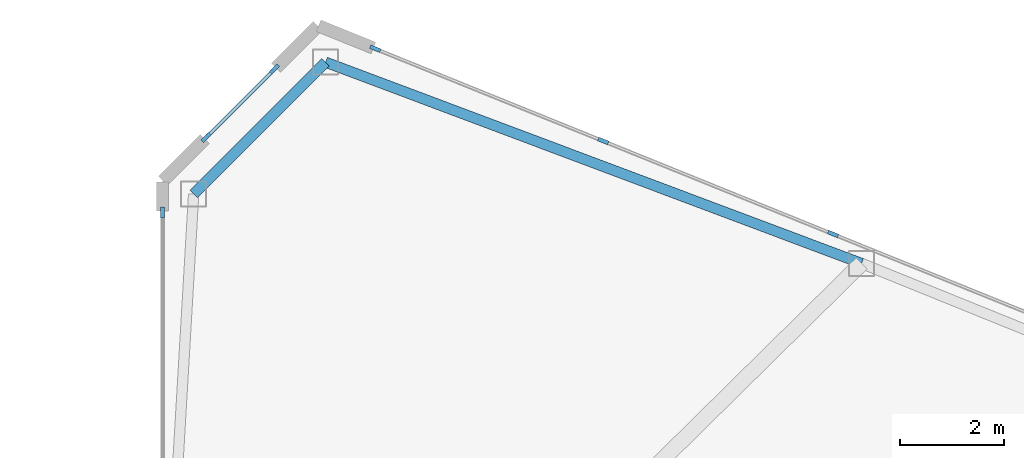
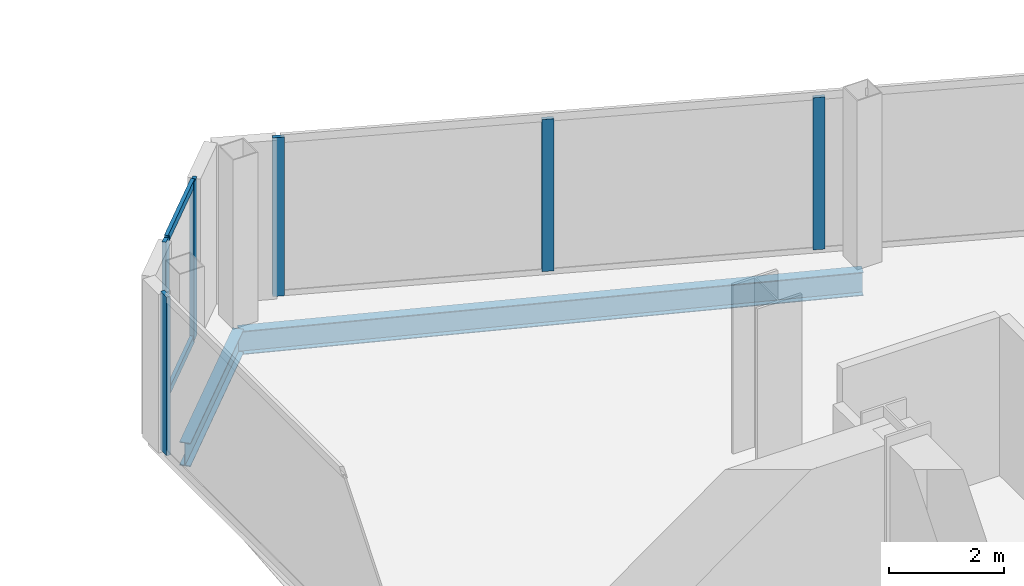
# One storey, part 13 of 25: 8 members, 2 beams, 3 elements without a shape of their own.
"""IFC4 building model written with IfcOpenShell, lengths in metres."""

from ifc_helpers import new_model, si_unit, direction, frame, origin, origin_2d, place, context, subcontext, project, spatial, rectangle, i_section, extrude, source, transform, mapped, material, layer, layer_set, material_profile, profile_set, type_object, type_shapes, element, aggregate, save


model = new_model("IFC4")

# Units and contexts
model_context = context("Model", 3, precision=1e-05, world=origin(), true_north=direction((0.0, 1.0)))
body_context = subcontext(model_context, "Body", "Model", "MODEL_VIEW")
ifc_project = project(units=[si_unit("LENGTHUNIT", "METRE"), si_unit("AREAUNIT", "SQUARE_METRE"), si_unit("VOLUMEUNIT", "CUBIC_METRE"), si_unit("PLANEANGLEUNIT", "RADIAN"), si_unit("MASSUNIT", "GRAM", prefix="KILO")], contexts=[model_context])

# Site, building, storey
site_placement = place(None, origin())
site = spatial("IfcSite", under=ifc_project, at=site_placement, CompositionType="ELEMENT")
building_placement = place(site_placement, origin())
building = spatial("IfcBuilding", under=site, at=building_placement, Name="Seokmaru Belvedere", CompositionType="ELEMENT")
storey_placement = place(building_placement, frame((0.0, 0.0, 44.10009765625)))
storey = spatial("IfcBuildingStorey", under=building, at=storey_placement, Name="L11", CompositionType="ELEMENT", Elevation=44.10009765625)

# Beams
ifc_material_1 = material(Name="Steel SM355 (355 MPa)", Category="steel")
ifc_material_profile_1 = material_profile(ifc_material_1, i_section(OverallWidth=0.199951171875, OverallDepth=0.5, WebThickness=0.010009765625, FlangeThickness=0.01611328125, at=origin_2d()), Name="H-500x200x10x16")
ifc_profile_set_1 = profile_set([ifc_material_profile_1], Name="Steel SM355 (355 MPa)")
beam_type = type_object("IfcBeamType", Name="Perimeter Spandrel Beam H-500", PredefinedType="SPANDREL", material=ifc_profile_set_1)
shared_shape_1 = source(origin(), body_context, "Body", "SweptSolid", [
    extrude(i_section(OverallWidth=0.199951171875, OverallDepth=0.5, WebThickness=0.010009765625, FlangeThickness=0.01611328125, at=origin_2d()), origin(), (0.0, 0.0, 1.0), 11.03857421875),
])
beam_1_placement = place(storey_placement, frame((30.643310546875, 26.294677734375, -0.47021484375), z_axis=(0.936169110734, -0.351549990907, 0.0), x_axis=(0.351549990907, 0.936169110734, 0.0)))
element("IfcBeam", 1, at=beam_1_placement, inside=storey, type_object=beam_type, Name="L11 E Faceted Flank Spandrel N-1", PredefinedType="SPANDREL", context=body_context, shape_type="MappedRepresentation", body=[
    mapped(shared_shape_1, transform((0.0, 0.0, 0.0), scale=1.0)),
])
shared_shape_2 = source(origin(), body_context, "Body", "SweptSolid", [
    extrude(i_section(OverallWidth=0.199951171875, OverallDepth=0.5, WebThickness=0.010009765625, FlangeThickness=0.01611328125, at=origin_2d()), origin(), (0.0, 0.0, 1.0), 3.5966796875),
])
type_shapes(beam_type, [shared_shape_1, shared_shape_2])
beam_2_placement = place(storey_placement, frame((30.643310546875, 26.294677734375, -0.47021484375), z_axis=(-0.707106781187, -0.707106781187, 0.0), x_axis=(0.707106781187, -0.707106781187, 0.0)))
element("IfcBeam", 2, at=beam_2_placement, inside=storey, type_object=beam_type, Name="L11 E Shoulder Chamfer Spandrel N", PredefinedType="SPANDREL", context=body_context, shape_type="MappedRepresentation", body=[
    mapped(shared_shape_2, transform((0.0, 0.0, 0.0), scale=1.0)),
])

# Curtain wall, members
ifc_material_2 = material(Name="Bronze Triple Insulating Glass", Category="glass")
ifc_layer = layer(ifc_material_2, 0.2099609375)
ifc_layer_set = layer_set([ifc_layer], Name="Bronze Triple Insulating Glass")
curtain_wall_type = type_object("IfcCurtainWallType", Name="Low-Rise Faceted Crystal Curtain Wall System CW-2", PredefinedType="NOTDEFINED", material=ifc_layer_set)
curtain_wall_1_placement = place(storey_placement, origin())
curtain_wall_1 = element("IfcCurtainWall", 3, at=curtain_wall_1_placement, inside=storey, type_object=curtain_wall_type, Name="L11 Curtain Wall EF4", PredefinedType="NOTDEFINED")
ifc_material_3 = material(Name="Anodised Bronze Aluminium", Category="aluminium")
ifc_material_profile_2 = material_profile(ifc_material_3, rectangle(XDim=0.070068359375, YDim=0.1650390625, at=origin_2d()), Name="CW-T-70x165")
ifc_profile_set_2 = profile_set([ifc_material_profile_2], Name="Anodised Bronze Aluminium")
member_type_1 = type_object("IfcMemberType", Name="Bronze Unitised Transom 70x165", PredefinedType="USERDEFINED", material=ifc_profile_set_2)
shared_shape_3 = source(origin(), body_context, "Body", "SweptSolid", [
    extrude(rectangle(XDim=0.070068359375, YDim=0.1650390625, at=origin_2d()), origin(), (0.0, 0.0, 1.0), 1.792724609375),
])
type_shapes(member_type_1, [shared_shape_3])
member_1_placement = place(storey_placement, frame((29.6337890625, 26.1337890625, 0.034912109375), z_axis=(-0.707106781187, -0.707106781187, 0.0), x_axis=(0.707106781187, -0.707106781187, 0.0)))
member_1 = element("IfcMember", 4, at=member_1_placement, type_object=member_type_1, Name="CW:L11:EF4 Continuous Transom 1", ObjectType="TRANSOM", PredefinedType="USERDEFINED", context=body_context, shape_type="MappedRepresentation", body=[
    mapped(shared_shape_3, transform((0.0, 0.0, 0.0), scale=1.0)),
])
member_2_placement = place(storey_placement, frame((29.6337890625, 26.1337890625, 3.344970703125), z_axis=(-0.707106781187, -0.707106781187, 0.0), x_axis=(0.707106781187, -0.707106781187, 0.0)))
member_2 = element("IfcMember", 5, at=member_2_placement, type_object=member_type_1, Name="CW:L11:EF4 Continuous Transom 2", ObjectType="TRANSOM", PredefinedType="USERDEFINED", context=body_context, shape_type="MappedRepresentation", body=[
    mapped(shared_shape_3, transform((0.0, 0.0, 0.0), scale=1.0)),
])

curtain_wall_2_placement = place(storey_placement, origin())
curtain_wall_2 = element("IfcCurtainWall", 6, at=curtain_wall_2_placement, inside=storey, type_object=curtain_wall_type, Name="L11 Curtain Wall EF3", PredefinedType="NOTDEFINED")
ifc_material_profile_3 = material_profile(ifc_material_3, rectangle(XDim=0.074951171875, YDim=0.2099609375, at=origin_2d()), Name="CW-M-75x210")
ifc_profile_set_3 = profile_set([ifc_material_profile_3], Name="Anodised Bronze Aluminium")
member_type_2 = type_object("IfcMemberType", Name="Bronze Unitised Mullion 75x210", PredefinedType="MULLION", material=ifc_profile_set_3)
shared_shape_4 = source(origin(), body_context, "Body", "SweptSolid", [
    extrude(rectangle(XDim=0.074951171875, YDim=0.2099609375, at=origin_2d()), origin(), (0.0, 0.0, 1.0), 3.239990234375),
])
member_3_placement = place(storey_placement, frame((40.425537109375, 22.982421875, 0.06982421875), z_axis=(0.0, 0.0, 1.0), x_axis=(-0.375192321888, -0.926946989637, 0.0)))
member_3 = element("IfcMember", 7, at=member_3_placement, type_object=member_type_2, Name="CW:L11:EF3 Mullion 8", PredefinedType="MULLION", context=body_context, shape_type="MappedRepresentation", body=[
    mapped(shared_shape_4, transform((0.0, 0.0, 0.0), scale=1.0)),
])
member_4_placement = place(storey_placement, frame((35.995849609375, 24.775390625, 0.06982421875), z_axis=(0.0, 0.0, 1.0), x_axis=(-0.375192321888, -0.926946989637, 0.0)))
member_4 = element("IfcMember", 8, at=member_4_placement, type_object=member_type_2, Name="CW:L11:EF3 Mullion 9", PredefinedType="MULLION", context=body_context, shape_type="MappedRepresentation", body=[
    mapped(shared_shape_4, transform((0.0, 0.0, 0.0), scale=1.0)),
])
shared_shape_5 = source(origin(), body_context, "Body", "SweptSolid", [
    extrude(rectangle(XDim=0.074951171875, YDim=0.2099609375, at=origin_2d()), origin(), (0.0, 0.0, 1.0), 3.3798828125),
])
type_shapes(member_type_2, [shared_shape_4, shared_shape_5])
member_5_placement = place(storey_placement, frame((31.600830078125, 26.554443359375, 0.0), z_axis=(0.0, 0.0, 1.0), x_axis=(-0.375192321888, -0.926946989637, 0.0)))
member_5 = element("IfcMember", 9, at=member_5_placement, type_object=member_type_2, Name="CW:L11:EF3 Mullion 10", PredefinedType="MULLION", context=body_context, shape_type="MappedRepresentation", body=[
    mapped(shared_shape_5, transform((0.0, 0.0, 0.0), scale=1.0)),
])
aggregate(curtain_wall_2, [member_3, member_4, member_5])

# Member
member_6_placement = place(storey_placement, frame((29.660400390625, 26.160400390625, 0.0), z_axis=(0.0, 0.0, 1.0), x_axis=(0.707106781187, -0.707106781187, 0.0)))
member_6 = element("IfcMember", 10, at=member_6_placement, type_object=member_type_2, Name="CW:L11:EF4 Mullion 1", PredefinedType="MULLION", context=body_context, shape_type="MappedRepresentation", body=[
    mapped(shared_shape_5, transform((0.0, 0.0, 0.0), scale=1.0)),
])

member_7_placement = place(storey_placement, frame((28.339599609375, 24.839599609375, 0.0), z_axis=(0.0, 0.0, 1.0), x_axis=(0.707106781187, -0.707106781187, 0.0)))
member_7 = element("IfcMember", 11, at=member_7_placement, type_object=member_type_2, Name="CW:L11:EF4 Mullion 2", PredefinedType="MULLION", context=body_context, shape_type="MappedRepresentation", body=[
    mapped(shared_shape_5, transform((0.0, 0.0, 0.0), scale=1.0)),
])

aggregate(curtain_wall_1, [member_6, member_7, member_1, member_2])

# Curtain wall, member
curtain_wall_3_placement = place(storey_placement, origin())
curtain_wall_3 = element("IfcCurtainWall", 12, at=curtain_wall_3_placement, inside=storey, type_object=curtain_wall_type, Name="L11 Curtain Wall ESP_2", PredefinedType="NOTDEFINED")
member_8_placement = place(storey_placement, frame((27.5, 23.392578125, 0.0), z_axis=(0.0, 0.0, 1.0), x_axis=(1.0, 0.0, 0.0)))
member_8 = element("IfcMember", 13, at=member_8_placement, type_object=member_type_2, Name="CW:L11:ESP_2 Mullion 1", PredefinedType="MULLION", context=body_context, shape_type="MappedRepresentation", body=[
    mapped(shared_shape_5, transform((0.0, 0.0, 0.0), scale=1.0)),
])
aggregate(curtain_wall_3, [member_8])

save(model, "model.ifc")
